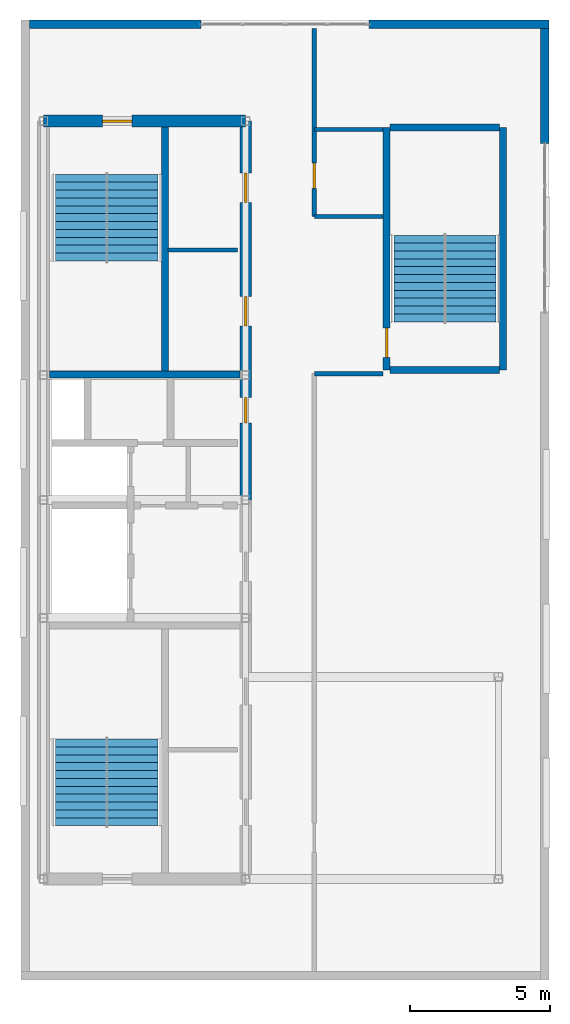
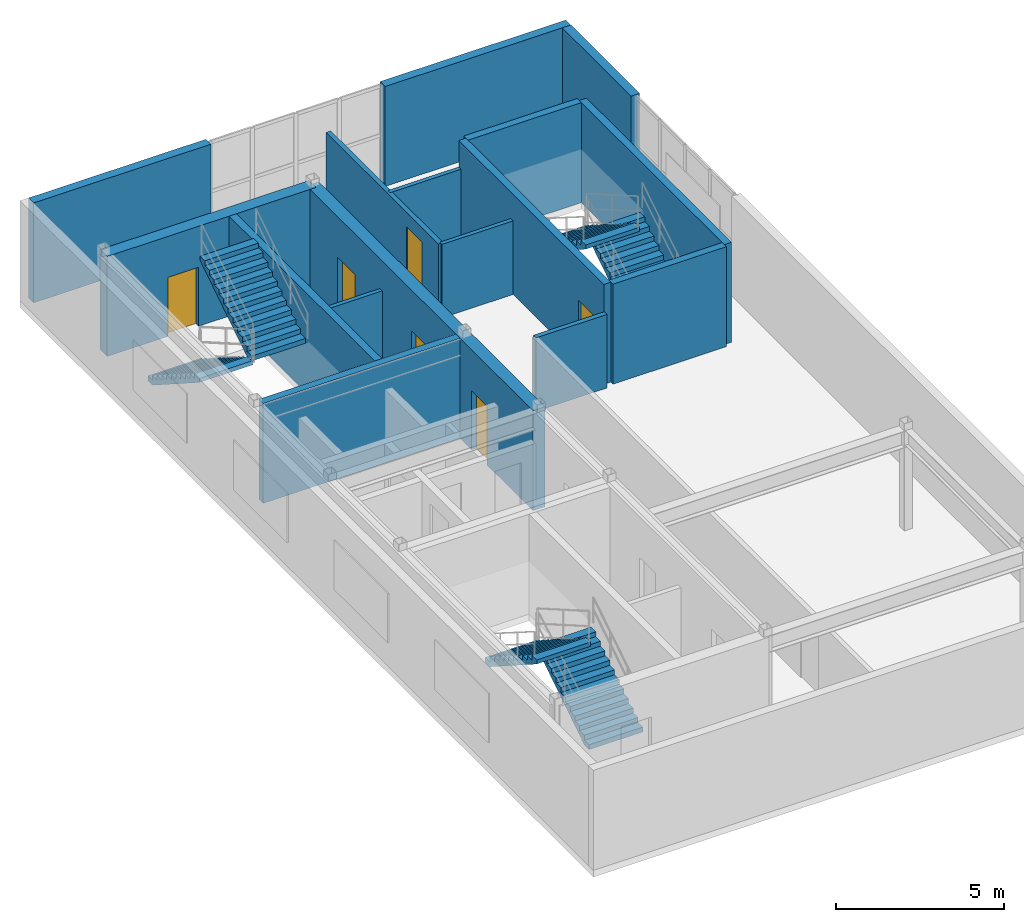
# One storey, part 5 of 6: 16 walls, 6 doors, 6 stair flights, 6 openings, 3 elements without a shape of their own.
"""IFC4 building model written with IfcOpenShell, lengths in metres."""

from ifc_helpers import new_model, entity, si_unit, converted_unit, direction, frame, origin_with_axes, origin_2d_with_axis, place, context, subcontext, project, spatial, polyline, rectangle, outline, extrude, material, layer, layer_set, type_object, element, fill, aggregate, save


model = new_model("IFC4")

# Units and contexts
model_context = context("Model", 3, precision=1e-05, world=origin_with_axes(), true_north=direction((0.0, 1.0)))
body_context = subcontext(model_context, "Body", "Model", "MODEL_VIEW")
ifc_project = project(units=[si_unit("LENGTHUNIT", "METRE"), si_unit("AREAUNIT", "SQUARE_METRE"), si_unit("VOLUMEUNIT", "CUBIC_METRE"), converted_unit("PLANEANGLEUNIT", "DEGREE", entity("IfcPlaneAngleMeasure", 0.017453292519943295), si_unit("PLANEANGLEUNIT", "RADIAN"), dimensions=[0, 0, 0, 0, 0, 0, 0]), si_unit("MASSUNIT", "GRAM", prefix="KILO"), si_unit("THERMODYNAMICTEMPERATUREUNIT", "KELVIN")], contexts=[model_context])

# Site, building, storey
site_placement = place(None, origin_with_axes())
site = spatial("IfcSite", under=ifc_project, at=site_placement, CompositionType="ELEMENT")
building_placement = place(site_placement, origin_with_axes())
building = spatial("IfcBuilding", under=site, at=building_placement, Name="Varnlund Millrace Tower", CompositionType="ELEMENT")
storey_placement = place(building_placement, frame((0.0, 0.0, 328.2), z_axis=(0.0, 0.0, 1.0), x_axis=(1.0, 0.0, 0.0)))
storey = spatial("IfcBuildingStorey", under=building, at=storey_placement, Name="L81", CompositionType="ELEMENT", Elevation=328.2)

# Wall, opening, door
ifc_material_1 = material(Name="Concrete C60/75", Category="concrete")
ifc_layer_1 = layer(ifc_material_1, 0.42, Name="Concrete C60/75")
ifc_layer_set_1 = layer_set([ifc_layer_1], Name="Concrete C60/75")
wall_type_1 = type_object("IfcWallType", Name="Type-CoreWall-Shear-420-C60", PredefinedType="SHEAR", material=ifc_layer_set_1)
wall_1_placement = place(storey_placement, frame((11.4, 37.8, 0.0), z_axis=(0.0, 0.0, 1.0), x_axis=(1.0, 0.0, 0.0)))
wall_1 = element("IfcWall", 1, at=wall_1_placement, inside=storey, type_object=wall_type_1, Name="Type-CoreWall-Shear-420-C60", PredefinedType="SHEAR", context=body_context, shape_type="SweptSolid", body=[
    extrude(outline(polyline([(0.0, -0.21), (7.2, -0.21), (7.2, 0.21), (0.0, 0.21), (0.0, -0.21)])), origin_with_axes(), (0.0, 0.0, 1.0), 3.64),
])
opening_1_placement = place(wall_1_placement, frame((2.625, 0.0, 0.0), z_axis=(0.0, 0.0, 1.0), x_axis=(1.0, 0.0, 0.0)))
opening_1 = element("IfcOpeningElement", 2, at=opening_1_placement, cuts=wall_1, Name="Opening L81:DR-STA2", PredefinedType="OPENING", context=body_context, shape_type="SweptSolid", body=[
    extrude(rectangle(XDim=1.05, YDim=0.44, at=origin_2d_with_axis()), origin_with_axes(), (0.0, 0.0, 1.0), 2.15),
])
ifc_material_2 = material(Name="Fire-rated hollow steel door", Category="steel")
door_type_1 = type_object("IfcDoorType", Name="Type-FireDoor-Stair-1050X2150", OperationType="NOTDEFINED", PredefinedType="DOOR", material=ifc_material_2)
door_1_placement = place(wall_1_placement, frame((2.625, 0.0, 0.0), z_axis=(0.0, 0.0, 1.0), x_axis=(1.0, 0.0, 0.0)))
door_1 = element("IfcDoor", 3, at=door_1_placement, inside=storey, type_object=door_type_1, Name="Type-FireDoor-Stair-1050X2150", OperationType="SINGLE_SWING_RIGHT", OverallHeight=2.15, OverallWidth=1.05, PredefinedType="DOOR", context=body_context, shape_type="SweptSolid", body=[
    extrude(rectangle(XDim=1.05, YDim=0.09, at=origin_2d_with_axis()), origin_with_axes(), (0.0, 0.0, 1.0), 2.15),
])
fill(opening_1, door_1)

# Wall, openings, doors
wall_2_placement = place(storey_placement, frame((18.6, 24.3, 0.0), z_axis=(0.0, 0.0, 1.0), x_axis=(0.0, 1.0, 0.0)))
wall_2 = element("IfcWall", 4, at=wall_2_placement, inside=storey, type_object=wall_type_1, Name="Type-CoreWall-Shear-420-C60", PredefinedType="SHEAR", context=body_context, shape_type="SweptSolid", body=[
    extrude(outline(polyline([(0.0, -0.21), (13.5, -0.21), (13.5, 0.21), (0.0, 0.21), (0.0, -0.21)])), origin_with_axes(), (0.0, 0.0, 1.0), 3.64),
])
opening_2_placement = place(wall_2_placement, frame((3.2, 0.0, 0.0), z_axis=(0.0, 0.0, 1.0), x_axis=(1.0, 0.0, 0.0)))
opening_2 = element("IfcOpeningElement", 5, at=opening_2_placement, cuts=wall_2, Name="Opening L81:DR-ROB", PredefinedType="OPENING", context=body_context, shape_type="SweptSolid", body=[
    extrude(rectangle(XDim=0.9, YDim=0.44, at=origin_2d_with_axis()), origin_with_axes(), (0.0, 0.0, 1.0), 2.15),
])
opening_3_placement = place(wall_2_placement, frame((6.725, 0.0, 0.0), z_axis=(0.0, 0.0, 1.0), x_axis=(1.0, 0.0, 0.0)))
opening_3 = element("IfcOpeningElement", 6, at=opening_3_placement, cuts=wall_2, Name="Opening L81:DR-RECL-M1", PredefinedType="OPENING", context=body_context, shape_type="SweptSolid", body=[
    extrude(rectangle(XDim=1.05, YDim=0.44, at=origin_2d_with_axis()), origin_with_axes(), (0.0, 0.0, 1.0), 2.15),
])
opening_4_placement = place(wall_2_placement, frame((11.125, 0.0, 0.0), z_axis=(0.0, 0.0, 1.0), x_axis=(1.0, 0.0, 0.0)))
opening_4 = element("IfcOpeningElement", 7, at=opening_4_placement, cuts=wall_2, Name="Opening L81:DR-RECL-M2", PredefinedType="OPENING", context=body_context, shape_type="SweptSolid", body=[
    extrude(rectangle(XDim=1.05, YDim=0.44, at=origin_2d_with_axis()), origin_with_axes(), (0.0, 0.0, 1.0), 2.15),
])
ifc_material_3 = material(Name="Fire-rated hollow steel service closet door", Category="steel")
door_type_2 = type_object("IfcDoorType", Name="Type-FireDoor-Closet-900X2150", OperationType="NOTDEFINED", PredefinedType="DOOR", material=ifc_material_3)
door_2_placement = place(wall_2_placement, frame((3.2, 0.0, 0.0), z_axis=(0.0, 0.0, 1.0), x_axis=(1.0, 0.0, 0.0)))
door_2 = element("IfcDoor", 8, at=door_2_placement, inside=storey, type_object=door_type_2, Name="Type-FireDoor-Closet-900X2150", OperationType="SINGLE_SWING_RIGHT", OverallHeight=2.15, OverallWidth=0.9, PredefinedType="DOOR", context=body_context, shape_type="SweptSolid", body=[
    extrude(rectangle(XDim=0.9, YDim=0.09, at=origin_2d_with_axis()), origin_with_axes(), (0.0, 0.0, 1.0), 2.15),
])
fill(opening_2, door_2)
ifc_material_4 = material(Name="Smoke-barrier hollow steel fire door", Category="steel")
door_type_3 = type_object("IfcDoorType", Name="Type-FireDoor-Lobby-1050X2150", OperationType="NOTDEFINED", PredefinedType="DOOR", material=ifc_material_4)
door_3_placement = place(wall_2_placement, frame((6.725, 0.0, 0.0), z_axis=(0.0, 0.0, 1.0), x_axis=(1.0, 0.0, 0.0)))
door_3 = element("IfcDoor", 9, at=door_3_placement, inside=storey, type_object=door_type_3, Name="Type-FireDoor-Lobby-1050X2150", OperationType="SINGLE_SWING_LEFT", OverallHeight=2.15, OverallWidth=1.05, PredefinedType="DOOR", context=body_context, shape_type="SweptSolid", body=[
    extrude(rectangle(XDim=1.05, YDim=0.09, at=origin_2d_with_axis()), origin_with_axes(), (0.0, 0.0, 1.0), 2.15),
])
fill(opening_3, door_3)
door_4_placement = place(wall_2_placement, frame((11.125, 0.0, 0.0), z_axis=(0.0, 0.0, 1.0), x_axis=(1.0, 0.0, 0.0)))
door_4 = element("IfcDoor", 10, at=door_4_placement, inside=storey, type_object=door_type_3, Name="Type-FireDoor-Lobby-1050X2150", OperationType="SINGLE_SWING_RIGHT", OverallHeight=2.15, OverallWidth=1.05, PredefinedType="DOOR", context=body_context, shape_type="SweptSolid", body=[
    extrude(rectangle(XDim=1.05, YDim=0.09, at=origin_2d_with_axis()), origin_with_axes(), (0.0, 0.0, 1.0), 2.15),
])
fill(opening_4, door_4)

# Walls
ifc_material_5 = material(Name="Precast concrete C50/60", Category="concrete")
ifc_layer_2 = layer(ifc_material_5, 0.3, Name="Precast concrete C50/60")
ifc_layer_set_2 = layer_set([ifc_layer_2], Name="Precast concrete C50/60")
wall_type_2 = type_object("IfcWallType", Name="Type-ExtWall-Precast-Crown-300", PredefinedType="SOLIDWALL", material=ifc_layer_set_2)
wall_3_placement = place(storey_placement, frame((10.9, 41.25, 0.0), z_axis=(0.0, 0.0, 1.0), x_axis=(1.0, 0.0, 0.0)))
element("IfcWall", 11, at=wall_3_placement, inside=storey, type_object=wall_type_2, Name="Type-ExtWall-Precast-Crown-300", PredefinedType="SOLIDWALL", context=body_context, shape_type="SweptSolid", body=[
    extrude(outline(polyline([(0.0, -0.15), (6.1, -0.15), (6.1, 0.15), (0.0, 0.15), (0.0, -0.15)])), origin_with_axes(), (0.0, 0.0, 1.0), 3.64),
])
wall_4_placement = place(storey_placement, frame((23.0, 41.25, 0.0), z_axis=(0.0, 0.0, 1.0), x_axis=(1.0, 0.0, 0.0)))
element("IfcWall", 12, at=wall_4_placement, inside=storey, type_object=wall_type_2, Name="Type-ExtWall-Precast-Crown-300", PredefinedType="SOLIDWALL", context=body_context, shape_type="SweptSolid", body=[
    extrude(outline(polyline([(0.0, -0.15), (6.4, -0.15), (6.4, 0.15), (0.0, 0.15), (0.0, -0.15)])), origin_with_axes(), (0.0, 0.0, 1.0), 3.64),
])
wall_5_placement = place(storey_placement, frame((29.25, 41.1, 0.0), z_axis=(0.0, 0.0, 1.0), x_axis=(0.0, -1.0, 0.0)))
element("IfcWall", 13, at=wall_5_placement, inside=storey, type_object=wall_type_2, Name="Type-ExtWall-Precast-Crown-300", PredefinedType="SOLIDWALL", context=body_context, shape_type="SweptSolid", body=[
    extrude(outline(polyline([(0.0, -0.15), (4.1, -0.15), (4.1, 0.15), (0.0, 0.15), (0.0, -0.15)])), origin_with_axes(), (0.0, 0.0, 1.0), 3.64),
])

# Wall, opening, door
ifc_material_6 = material(Name="Fire-rated gypsum board on cold-formed steel framing", Category="steel")
ifc_layer_3 = layer(ifc_material_6, 0.16, Name="Fire-rated gypsum board on cold-formed steel framing")
ifc_layer_set_3 = layer_set([ifc_layer_3], Name="Fire-rated gypsum board on cold-formed steel framing")
wall_type_3 = type_object("IfcWallType", Name="Type-Partition-Corridor-160", PredefinedType="PARTITIONING", material=ifc_layer_set_3)
wall_6_placement = place(storey_placement, frame((21.05, 34.4, 0.0), z_axis=(0.0, 0.0, 1.0), x_axis=(0.0, 1.0, 0.0)))
wall_6 = element("IfcWall", 14, at=wall_6_placement, inside=storey, type_object=wall_type_3, Name="Type-Partition-Corridor-160", PredefinedType="PARTITIONING", context=body_context, shape_type="SweptSolid", body=[
    extrude(outline(polyline([(0.0, -0.08), (6.705, -0.08), (6.705, 0.08), (0.0, 0.08), (0.0, -0.08)])), origin_with_axes(), (0.0, 0.0, 1.0), 2.68),
])
opening_5_placement = place(wall_6_placement, frame((1.45, 0.0, 0.0), z_axis=(0.0, 0.0, 1.0), x_axis=(1.0, 0.0, 0.0)))
opening_5 = element("IfcOpeningElement", 15, at=opening_5_placement, cuts=wall_6, Name="Opening L81:DR-CRN-WC", PredefinedType="OPENING", context=body_context, shape_type="SweptSolid", body=[
    extrude(rectangle(XDim=0.9, YDim=0.18, at=origin_2d_with_axis()), origin_with_axes(), (0.0, 0.0, 1.0), 2.15),
])
ifc_material_7 = material(Name="Painted steel riser and closet door", Category="steel")
door_type_4 = type_object("IfcDoorType", Name="Type-IntDoor-Closet-900X2150", OperationType="NOTDEFINED", PredefinedType="DOOR", material=ifc_material_7)
door_5_placement = place(wall_6_placement, frame((1.45, 0.0, 0.0), z_axis=(0.0, 0.0, 1.0), x_axis=(1.0, 0.0, 0.0)))
door_5 = element("IfcDoor", 16, at=door_5_placement, inside=storey, type_object=door_type_4, Name="Type-IntDoor-Closet-900X2150", OperationType="SINGLE_SWING_LEFT", OverallHeight=2.15, OverallWidth=0.9, PredefinedType="DOOR", context=body_context, shape_type="SweptSolid", body=[
    extrude(rectangle(XDim=0.9, YDim=0.09, at=origin_2d_with_axis()), origin_with_axes(), (0.0, 0.0, 1.0), 2.15),
])
fill(opening_5, door_5)

# Walls
wall_7_placement = place(storey_placement, frame((21.05, 28.8, 0.0), z_axis=(0.0, 0.0, 1.0), x_axis=(1.0, 0.0, 0.0)))
element("IfcWall", 17, at=wall_7_placement, inside=storey, type_object=wall_type_3, Name="Type-Partition-Corridor-160", PredefinedType="PARTITIONING", context=body_context, shape_type="SweptSolid", body=[
    extrude(outline(polyline([(0.0, -0.08), (2.45, -0.08), (2.45, 0.08), (0.0, 0.08), (0.0, -0.08)])), origin_with_axes(), (0.0, 0.0, 1.0), 2.68),
])
ifc_material_8 = material(Name="Moisture-resistant gypsum restroom partition", Category="gypsum")
ifc_layer_4 = layer(ifc_material_8, 0.14, Name="Moisture-resistant gypsum restroom partition")
ifc_layer_set_4 = layer_set([ifc_layer_4], Name="Moisture-resistant gypsum restroom partition")
wall_type_4 = type_object("IfcWallType", Name="Type-Partition-Wet-140", PredefinedType="PARTITIONING", material=ifc_layer_set_4)
wall_8_placement = place(storey_placement, frame((15.84, 33.2, 0.0), z_axis=(0.0, 0.0, 1.0), x_axis=(1.0, 0.0, 0.0)))
element("IfcWall", 18, at=wall_8_placement, inside=storey, type_object=wall_type_4, Name="Type-Partition-Wet-140", PredefinedType="PARTITIONING", context=body_context, shape_type="SweptSolid", body=[
    extrude(outline(polyline([(0.0, -0.07), (2.46, -0.07), (2.46, 0.07), (0.0, 0.07), (0.0, -0.07)])), origin_with_axes(), (0.0, 0.0, 1.0), 2.68),
])
for number, where, z_axis, x_axis, name in (
    (19, (21.05, 34.4, 0.0), (0.0, 0.0, 1.0), (1.0, 0.0, 0.0), "Type-Partition-Wet-140"),
    (20, (21.05, 37.5, 0.0), (0.0, 0.0, 1.0), (1.0, 0.0, 0.0), "Type-Partition-Wet-140"),
):
    element("IfcWall", number, at=place(storey_placement, frame(where, z_axis=z_axis, x_axis=x_axis)), inside=storey, type_object=wall_type_4, Name=name, PredefinedType="PARTITIONING", context=body_context, shape_type="SweptSolid", body=[
        extrude(outline(polyline([(0.0, -0.07), (2.45, -0.07), (2.45, 0.07), (0.0, 0.07), (0.0, -0.07)])), origin_with_axes(), (0.0, 0.0, 1.0), 2.68),
    ])
ifc_layer_5 = layer(ifc_material_1, 0.25, Name="Concrete C60/75")
ifc_layer_set_5 = layer_set([ifc_layer_5], Name="Concrete C60/75")
wall_type_5 = type_object("IfcWallType", Name="Type-StairWall-Shear-250", PredefinedType="SHEAR", material=ifc_layer_set_5)
wall_9_placement = place(storey_placement, frame((15.725, 28.9, 0.0), z_axis=(0.0, 0.0, 1.0), x_axis=(0.0, 1.0, 0.0)))
element("IfcWall", 21, at=wall_9_placement, inside=storey, type_object=wall_type_5, Name="Type-StairWall-Shear-250", PredefinedType="SHEAR", context=body_context, shape_type="SweptSolid", body=[
    extrude(outline(polyline([(0.0, -0.125), (8.69, -0.125), (8.69, 0.125), (0.0, 0.125), (0.0, -0.125)])), origin_with_axes(), (0.0, 0.0, 1.0), 3.64),
])
wall_10_placement = place(storey_placement, frame((11.61, 28.775, 0.0), z_axis=(0.0, 0.0, 1.0), x_axis=(1.0, 0.0, 0.0)))
element("IfcWall", 22, at=wall_10_placement, inside=storey, type_object=wall_type_5, Name="Type-StairWall-Shear-250", PredefinedType="SHEAR", context=body_context, shape_type="SweptSolid", body=[
    extrude(outline(polyline([(0.0, -0.125), (6.78, -0.125), (6.78, 0.125), (0.0, 0.125), (0.0, -0.125)])), origin_with_axes(), (0.0, 0.0, 1.0), 3.64),
])

# Wall, opening, door
wall_11_placement = place(storey_placement, frame((23.625, 28.925, 0.0), z_axis=(0.0, 0.0, 1.0), x_axis=(0.0, 1.0, 0.0)))
wall_11 = element("IfcWall", 23, at=wall_11_placement, inside=storey, type_object=wall_type_5, Name="Type-StairWall-Shear-250", PredefinedType="SHEAR", context=body_context, shape_type="SweptSolid", body=[
    extrude(outline(polyline([(0.0, -0.125), (8.65, -0.125), (8.65, 0.125), (0.0, 0.125), (0.0, -0.125)])), origin_with_axes(), (0.0, 0.0, 1.0), 3.64),
])
opening_6_placement = place(wall_11_placement, frame((0.975, 0.0, 0.0), z_axis=(0.0, 0.0, 1.0), x_axis=(1.0, 0.0, 0.0)))
opening_6 = element("IfcOpeningElement", 24, at=opening_6_placement, cuts=wall_11, Name="Opening L81:DR-STA3", PredefinedType="OPENING", context=body_context, shape_type="SweptSolid", body=[
    extrude(rectangle(XDim=1.05, YDim=0.27, at=origin_2d_with_axis()), origin_with_axes(), (0.0, 0.0, 1.0), 2.15),
])
door_6_placement = place(wall_11_placement, frame((0.975, 0.0, 0.0), z_axis=(0.0, 0.0, 1.0), x_axis=(1.0, 0.0, 0.0)))
door_6 = element("IfcDoor", 25, at=door_6_placement, inside=storey, type_object=door_type_1, Name="Type-FireDoor-Stair-1050X2150", OperationType="SINGLE_SWING_LEFT", OverallHeight=2.15, OverallWidth=1.05, PredefinedType="DOOR", context=body_context, shape_type="SweptSolid", body=[
    extrude(rectangle(XDim=1.05, YDim=0.09, at=origin_2d_with_axis()), origin_with_axes(), (0.0, 0.0, 1.0), 2.15),
])
fill(opening_6, door_6)

# Walls
wall_12_placement = place(storey_placement, frame((27.775, 28.925, 0.0), z_axis=(0.0, 0.0, 1.0), x_axis=(0.0, 1.0, 0.0)))
element("IfcWall", 26, at=wall_12_placement, inside=storey, type_object=wall_type_5, Name="Type-StairWall-Shear-250", PredefinedType="SHEAR", context=body_context, shape_type="SweptSolid", body=[
    extrude(outline(polyline([(0.0, -0.125), (8.65, -0.125), (8.65, 0.125), (0.0, 0.125), (0.0, -0.125)])), origin_with_axes(), (0.0, 0.0, 1.0), 3.64),
])
for number, where, z_axis, x_axis, name in (
    (27, (23.75, 28.925, 0.0), (0.0, 0.0, 1.0), (1.0, 0.0, 0.0), "Type-StairWall-Shear-250"),
    (28, (23.75, 37.575, 0.0), (0.0, 0.0, 1.0), (1.0, 0.0, 0.0), "Type-StairWall-Shear-250"),
):
    element("IfcWall", number, at=place(storey_placement, frame(where, z_axis=z_axis, x_axis=x_axis)), inside=storey, type_object=wall_type_5, Name=name, PredefinedType="SHEAR", context=body_context, shape_type="SweptSolid", body=[
        extrude(outline(polyline([(0.0, -0.125), (3.9, -0.125), (3.9, 0.125), (0.0, 0.125), (0.0, -0.125)])), origin_with_axes(), (0.0, 0.0, 1.0), 3.64),
    ])

# Stair, stair flights
ifc_material_9 = material(Name="Concrete C50/60", Category="concrete")
stair_type = type_object("IfcStairType", Name="Type-Stair-Dogleg-185-390", PredefinedType="HALF_TURN_STAIR", material=ifc_material_9)
stair_1_placement = place(storey_placement, origin_with_axes())
stair_1 = element("IfcStair", 29, at=stair_1_placement, inside=storey, type_object=stair_type, Name="Type-Stair-Dogleg-185-390", PredefinedType="HALF_TURN_STAIR")
stair_flight_type = type_object("IfcStairFlightType", Name="Type-Dogleg-Run-185-390", PredefinedType="STRAIGHT", material=ifc_material_5)
stair_flight_1_placement = place(storey_placement, frame((13.625, 12.7, 0.0), z_axis=(1.0, 0.0, 0.0), x_axis=(0.0, 1.0, 0.0)))
stair_flight_1 = element("IfcStairFlight", 30, at=stair_flight_1_placement, type_object=stair_flight_type, Name="ST-A1 flight 1", NumberOfRisers=11, NumberOfTreads=11, PredefinedType="STRAIGHT", RiserHeight=0.177273, TreadLength=0.28, context=body_context, shape_type="SweptSolid", body=[
    extrude(outline(polyline([(0.0, 0.0), (0.0, 0.177273), (0.28, 0.177273), (0.28, 0.354545), (0.56, 0.354545), (0.56, 0.531818), (0.84, 0.531818), (0.84, 0.709091), (1.12, 0.709091), (1.12, 0.886364), (1.4, 0.886364), (1.4, 1.063636), (1.68, 1.063636), (1.68, 1.240909), (1.96, 1.240909), (1.96, 1.418182), (2.24, 1.418182), (2.24, 1.595454), (2.52, 1.595454), (2.52, 1.772727), (2.8, 1.772727), (2.8, 1.95), (3.08, 1.95), (3.08, 1.8), (0.28, 0.0), (0.0, 0.0)])), origin_with_axes(), (0.0, 0.0, 1.0), 1.85),
])
stair_flight_2_placement = place(storey_placement, frame((13.675, 15.78, 1.95), z_axis=(-1.0, 0.0, 0.0), x_axis=(0.0, -1.0, 0.0)))
stair_flight_2 = element("IfcStairFlight", 31, at=stair_flight_2_placement, type_object=stair_flight_type, Name="ST-A1 flight 2", NumberOfRisers=11, NumberOfTreads=11, PredefinedType="STRAIGHT", RiserHeight=0.177273, TreadLength=0.28, context=body_context, shape_type="SweptSolid", body=[
    extrude(outline(polyline([(0.0, 0.0), (0.0, 0.177273), (0.28, 0.177273), (0.28, 0.354545), (0.56, 0.354545), (0.56, 0.531818), (0.84, 0.531818), (0.84, 0.709091), (1.12, 0.709091), (1.12, 0.886364), (1.4, 0.886364), (1.4, 1.063636), (1.68, 1.063636), (1.68, 1.240909), (1.96, 1.240909), (1.96, 1.418182), (2.24, 1.418182), (2.24, 1.595454), (2.52, 1.595454), (2.52, 1.772727), (2.8, 1.772727), (2.8, 1.95), (3.08, 1.95), (3.08, 1.8), (0.28, 0.0), (0.0, 0.0)])), origin_with_axes(), (0.0, 0.0, 1.0), 1.85),
])
aggregate(stair_1, [stair_flight_1, stair_flight_2])

stair_2_placement = place(storey_placement, origin_with_axes())
stair_2 = element("IfcStair", 32, at=stair_2_placement, inside=storey, type_object=stair_type, Name="Type-Stair-Dogleg-185-390", PredefinedType="HALF_TURN_STAIR")
stair_flight_3_placement = place(storey_placement, frame((13.675, 35.9, 0.0), z_axis=(-1.0, 0.0, 0.0), x_axis=(0.0, -1.0, 0.0)))
stair_flight_3 = element("IfcStairFlight", 33, at=stair_flight_3_placement, type_object=stair_flight_type, Name="ST-A2 flight 1", NumberOfRisers=11, NumberOfTreads=11, PredefinedType="STRAIGHT", RiserHeight=0.177273, TreadLength=0.28, context=body_context, shape_type="SweptSolid", body=[
    extrude(outline(polyline([(0.0, 0.0), (0.0, 0.177273), (0.28, 0.177273), (0.28, 0.354545), (0.56, 0.354545), (0.56, 0.531818), (0.84, 0.531818), (0.84, 0.709091), (1.12, 0.709091), (1.12, 0.886364), (1.4, 0.886364), (1.4, 1.063636), (1.68, 1.063636), (1.68, 1.240909), (1.96, 1.240909), (1.96, 1.418182), (2.24, 1.418182), (2.24, 1.595454), (2.52, 1.595454), (2.52, 1.772727), (2.8, 1.772727), (2.8, 1.95), (3.08, 1.95), (3.08, 1.8), (0.28, 0.0), (0.0, 0.0)])), origin_with_axes(), (0.0, 0.0, 1.0), 1.85),
])
stair_flight_4_placement = place(storey_placement, frame((13.625, 32.82, 1.95), z_axis=(1.0, 0.0, 0.0), x_axis=(0.0, 1.0, 0.0)))
stair_flight_4 = element("IfcStairFlight", 34, at=stair_flight_4_placement, type_object=stair_flight_type, Name="ST-A2 flight 2", NumberOfRisers=11, NumberOfTreads=11, PredefinedType="STRAIGHT", RiserHeight=0.177273, TreadLength=0.28, context=body_context, shape_type="SweptSolid", body=[
    extrude(outline(polyline([(0.0, 0.0), (0.0, 0.177273), (0.28, 0.177273), (0.28, 0.354545), (0.56, 0.354545), (0.56, 0.531818), (0.84, 0.531818), (0.84, 0.709091), (1.12, 0.709091), (1.12, 0.886364), (1.4, 0.886364), (1.4, 1.063636), (1.68, 1.063636), (1.68, 1.240909), (1.96, 1.240909), (1.96, 1.418182), (2.24, 1.418182), (2.24, 1.595454), (2.52, 1.595454), (2.52, 1.772727), (2.8, 1.772727), (2.8, 1.95), (3.08, 1.95), (3.08, 1.8), (0.28, 0.0), (0.0, 0.0)])), origin_with_axes(), (0.0, 0.0, 1.0), 1.85),
])
aggregate(stair_2, [stair_flight_3, stair_flight_4])

stair_3_placement = place(storey_placement, origin_with_axes())
stair_3 = element("IfcStair", 35, at=stair_3_placement, inside=storey, type_object=stair_type, Name="Type-Stair-Dogleg-185-390", PredefinedType="HALF_TURN_STAIR")
stair_flight_5_placement = place(storey_placement, frame((25.675, 30.65, 0.0), z_axis=(1.0, 0.0, 0.0), x_axis=(0.0, 1.0, 0.0)))
stair_flight_5 = element("IfcStairFlight", 36, at=stair_flight_5_placement, type_object=stair_flight_type, Name="ST-A3 flight 1", NumberOfRisers=11, NumberOfTreads=11, PredefinedType="STRAIGHT", RiserHeight=0.177273, TreadLength=0.28, context=body_context, shape_type="SweptSolid", body=[
    extrude(outline(polyline([(0.0, 0.0), (0.0, 0.177273), (0.28, 0.177273), (0.28, 0.354545), (0.56, 0.354545), (0.56, 0.531818), (0.84, 0.531818), (0.84, 0.709091), (1.12, 0.709091), (1.12, 0.886364), (1.4, 0.886364), (1.4, 1.063636), (1.68, 1.063636), (1.68, 1.240909), (1.96, 1.240909), (1.96, 1.418182), (2.24, 1.418182), (2.24, 1.595454), (2.52, 1.595454), (2.52, 1.772727), (2.8, 1.772727), (2.8, 1.95), (3.08, 1.95), (3.08, 1.8), (0.28, 0.0), (0.0, 0.0)])), origin_with_axes(), (0.0, 0.0, 1.0), 1.85),
])
stair_flight_6_placement = place(storey_placement, frame((25.725, 33.73, 1.95), z_axis=(-1.0, 0.0, 0.0), x_axis=(0.0, -1.0, 0.0)))
stair_flight_6 = element("IfcStairFlight", 37, at=stair_flight_6_placement, type_object=stair_flight_type, Name="ST-A3 flight 2", NumberOfRisers=11, NumberOfTreads=11, PredefinedType="STRAIGHT", RiserHeight=0.177273, TreadLength=0.28, context=body_context, shape_type="SweptSolid", body=[
    extrude(outline(polyline([(0.0, 0.0), (0.0, 0.177273), (0.28, 0.177273), (0.28, 0.354545), (0.56, 0.354545), (0.56, 0.531818), (0.84, 0.531818), (0.84, 0.709091), (1.12, 0.709091), (1.12, 0.886364), (1.4, 0.886364), (1.4, 1.063636), (1.68, 1.063636), (1.68, 1.240909), (1.96, 1.240909), (1.96, 1.418182), (2.24, 1.418182), (2.24, 1.595454), (2.52, 1.595454), (2.52, 1.772727), (2.8, 1.772727), (2.8, 1.95), (3.08, 1.95), (3.08, 1.8), (0.28, 0.0), (0.0, 0.0)])), origin_with_axes(), (0.0, 0.0, 1.0), 1.85),
])
aggregate(stair_3, [stair_flight_5, stair_flight_6])

save(model, "model.ifc")
